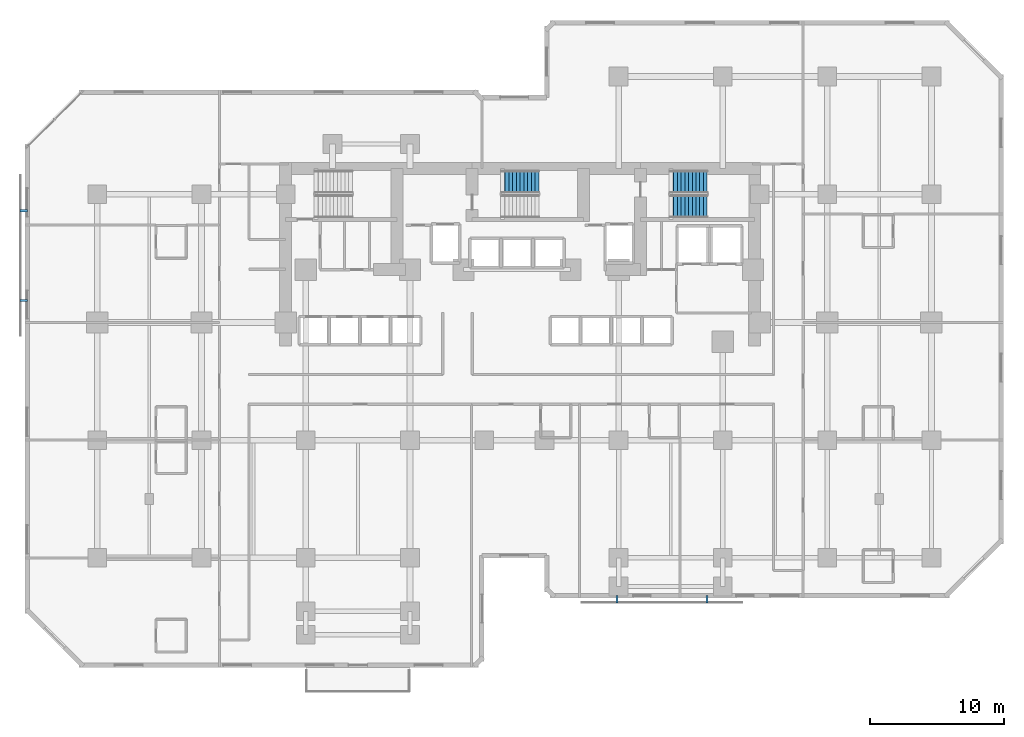
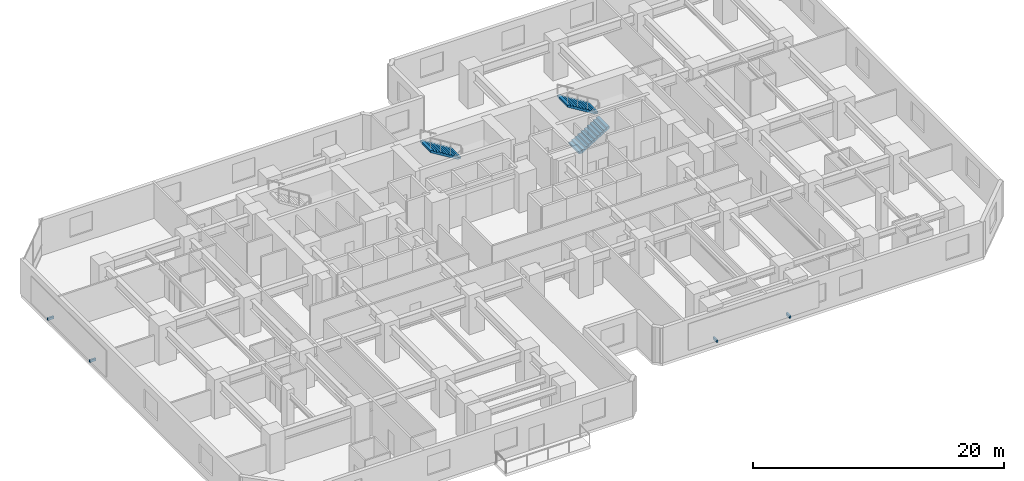
# One storey, part 9 of 11: 4 discrete accessories, 3 stair flights, 2 elements without a shape of their own.
"""IFC4 building model written with IfcOpenShell, lengths in metres."""

from ifc_helpers import new_model, si_unit, direction, frame, origin, origin_2d, place, context, subcontext, project, spatial, polyline, rectangle, outline, extrude, material, type_object, element, aggregate, save


model = new_model("IFC4")

# Units and contexts
model_context = context("Model", 3, precision=1e-05, world=origin(), true_north=direction((0.0, 1.0)))
body_context = subcontext(model_context, "Body", "Model", "MODEL_VIEW")
ifc_project = project(units=[si_unit("LENGTHUNIT", "METRE"), si_unit("AREAUNIT", "SQUARE_METRE"), si_unit("VOLUMEUNIT", "CUBIC_METRE"), si_unit("PLANEANGLEUNIT", "RADIAN"), si_unit("MASSUNIT", "GRAM", prefix="KILO")], contexts=[model_context])

# Site, building, storey
site_placement = place(None, origin())
site = spatial("IfcSite", under=ifc_project, at=site_placement, CompositionType="ELEMENT")
building_placement = place(site_placement, origin())
building = spatial("IfcBuilding", under=site, at=building_placement, Name="Kestravale Grand Hotel", CompositionType="ELEMENT")
storey_placement = place(building_placement, frame((0.0, 0.0, 71.60009765625)))
storey = spatial("IfcBuildingStorey", under=building, at=storey_placement, Name="L17", CompositionType="ELEMENT", Elevation=71.60009765625)

# Stair, stair flight
ifc_material_1 = material(Name="Concrete f'c 45 MPa", Category="concrete")
stair_type = type_object("IfcStairType", Name="ST-CORE-380", PredefinedType="HALF_TURN_STAIR", material=ifc_material_1)
stair_1_placement = place(storey_placement, origin())
stair_1 = element("IfcStair", 1, at=stair_1_placement, inside=storey, type_object=stair_type, Name="L17 ST-2", PredefinedType="HALF_TURN_STAIR")
ifc_material_2 = material(Name="Concrete f'c 45 MPa", Category="concrete")
stair_flight_type = type_object("IfcStairFlightType", Name="STF-CORE-380", PredefinedType="STRAIGHT", material=ifc_material_2)
stair_flight_1_placement = place(storey_placement, frame((40.830078125, 39.320068359375, 1.89990234375), z_axis=(0.0, 0.0, 1.0), x_axis=(-1.0, 0.0, 0.0)))
stair_flight_1 = element("IfcStairFlight", 2, at=stair_flight_1_placement, type_object=stair_flight_type, Name="ST-2 flight 2", NumberOfRisers=11, NumberOfTreads=10, PredefinedType="STRAIGHT", RiserHeight=0.172727273, TreadLength=0.28, context=body_context, shape_type="SweptSolid", body=[
    extrude(outline(polyline([(0.0, 0.0), (0.0, 0.172607421875), (0.280029296875, 0.172607421875), (0.280029296875, 0.345458984375), (0.56005859375, 0.345458984375), (0.56005859375, 0.51806640625), (0.840087890625, 0.51806640625), (0.840087890625, 0.69091796875), (1.1201171875, 0.69091796875), (1.1201171875, 0.863525390625), (1.39990234375, 0.863525390625), (1.39990234375, 1.036376953125), (1.679931640625, 1.036376953125), (1.679931640625, 1.208984375), (1.9599609375, 1.208984375), (1.9599609375, 1.3818359375), (2.239990234375, 1.3818359375), (2.239990234375, 1.554443359375), (2.52001953125, 1.554443359375), (2.52001953125, 1.727294921875), (2.800048828125, 1.727294921875), (2.800048828125, 1.89990234375), (2.800048828125, 1.551025390625), (0.285400390625, 0.0), (0.0, 0.0)])), frame((0.0, 0.83984375, 0.0), z_axis=(0.0, -1.0, 0.0), x_axis=(1.0, 0.0, 0.0)), (0.0, 0.0, 1.0), 1.679931640625),
])
aggregate(stair_1, [stair_flight_1])

# Stair, stair flights
stair_2_placement = place(storey_placement, origin())
stair_2 = element("IfcStair", 3, at=stair_2_placement, inside=storey, type_object=stair_type, Name="L17 ST-3", PredefinedType="HALF_TURN_STAIR")
stair_flight_2_placement = place(storey_placement, frame((50.6298828125, 37.489990234375, 0.0), z_axis=(0.0, 0.0, 1.0), x_axis=(1.0, 0.0, 0.0)))
stair_flight_2 = element("IfcStairFlight", 4, at=stair_flight_2_placement, type_object=stair_flight_type, Name="ST-3 flight 1", NumberOfRisers=11, NumberOfTreads=10, PredefinedType="STRAIGHT", RiserHeight=0.172727273, TreadLength=0.28, context=body_context, shape_type="SweptSolid", body=[
    extrude(outline(polyline([(0.0, 0.0), (0.0, 0.172607421875), (0.280029296875, 0.172607421875), (0.280029296875, 0.345458984375), (0.56005859375, 0.345458984375), (0.56005859375, 0.51806640625), (0.840087890625, 0.51806640625), (0.840087890625, 0.69091796875), (1.1201171875, 0.69091796875), (1.1201171875, 0.863525390625), (1.39990234375, 0.863525390625), (1.39990234375, 1.036376953125), (1.679931640625, 1.036376953125), (1.679931640625, 1.208984375), (1.9599609375, 1.208984375), (1.9599609375, 1.3818359375), (2.239990234375, 1.3818359375), (2.239990234375, 1.554443359375), (2.52001953125, 1.554443359375), (2.52001953125, 1.727294921875), (2.800048828125, 1.727294921875), (2.800048828125, 1.89990234375), (2.800048828125, 1.551025390625), (0.285400390625, 0.0), (0.0, 0.0)])), frame((0.0, 0.83984375, 0.0), z_axis=(0.0, -1.0, 0.0), x_axis=(1.0, 0.0, 0.0)), (0.0, 0.0, 1.0), 1.679931640625),
])
stair_flight_3_placement = place(storey_placement, frame((53.429931640625, 39.320068359375, 1.89990234375), z_axis=(0.0, 0.0, 1.0), x_axis=(-1.0, 0.0, 0.0)))
stair_flight_3 = element("IfcStairFlight", 5, at=stair_flight_3_placement, type_object=stair_flight_type, Name="ST-3 flight 2", NumberOfRisers=11, NumberOfTreads=10, PredefinedType="STRAIGHT", RiserHeight=0.172727273, TreadLength=0.28, context=body_context, shape_type="SweptSolid", body=[
    extrude(outline(polyline([(0.0, 0.0), (0.0, 0.172607421875), (0.280029296875, 0.172607421875), (0.280029296875, 0.345458984375), (0.56005859375, 0.345458984375), (0.56005859375, 0.51806640625), (0.840087890625, 0.51806640625), (0.840087890625, 0.69091796875), (1.1201171875, 0.69091796875), (1.1201171875, 0.863525390625), (1.39990234375, 0.863525390625), (1.39990234375, 1.036376953125), (1.679931640625, 1.036376953125), (1.679931640625, 1.208984375), (1.9599609375, 1.208984375), (1.9599609375, 1.3818359375), (2.239990234375, 1.3818359375), (2.239990234375, 1.554443359375), (2.52001953125, 1.554443359375), (2.52001953125, 1.727294921875), (2.800048828125, 1.727294921875), (2.800048828125, 1.89990234375), (2.800048828125, 1.551025390625), (0.285400390625, 0.0), (0.0, 0.0)])), frame((0.0, 0.83984375, 0.0), z_axis=(0.0, -1.0, 0.0), x_axis=(1.0, 0.0, 0.0)), (0.0, 0.0, 1.0), 1.679931640625),
])
aggregate(stair_2, [stair_flight_2, stair_flight_3])

# Discrete accessories
ifc_material_3 = material(Name="Steel ASTM A572 Grade 50 hot-dip galvanised bracket", Category="steel")
discrete_accessory_type = type_object("IfcDiscreteAccessoryType", Name="ACC-BRK-STL", PredefinedType="BRACKET", material=ifc_material_3)
for number, where, z_axis, x_axis, name in (
    (6, (46.68994140625, 8.10498046875, 0.56005859375), (0.0, 0.0, 1.0), (1.0, 0.0, 0.0), "L17 solar screen standoff bracket 1"),
    (7, (53.409912109375, 8.10498046875, 0.56005859375), (0.0, 0.0, 1.0), (1.0, 0.0, 0.0), "L17 solar screen standoff bracket 2"),
    (8, (2.304931640625, 37.159912109375, 0.56005859375), (0.0, 0.0, 1.0), (0.0, -1.0, 0.0), "L17 solar screen standoff bracket 1"),
    (9, (2.304931640625, 30.43994140625, 0.56005859375), (0.0, 0.0, 1.0), (0.0, -1.0, 0.0), "L17 solar screen standoff bracket 2"),
):
    element("IfcDiscreteAccessory", number, at=place(storey_placement, frame(where, z_axis=z_axis, x_axis=x_axis)), inside=storey, type_object=discrete_accessory_type, Name=name, PredefinedType="BRACKET", context=body_context, shape_type="SweptSolid", body=[
        extrude(rectangle(XDim=0.159912109375, YDim=0.56005859375, at=origin_2d()), origin(), (0.0, 0.0, 1.0), 0.239990234375),
    ])

save(model, "model.ifc")
